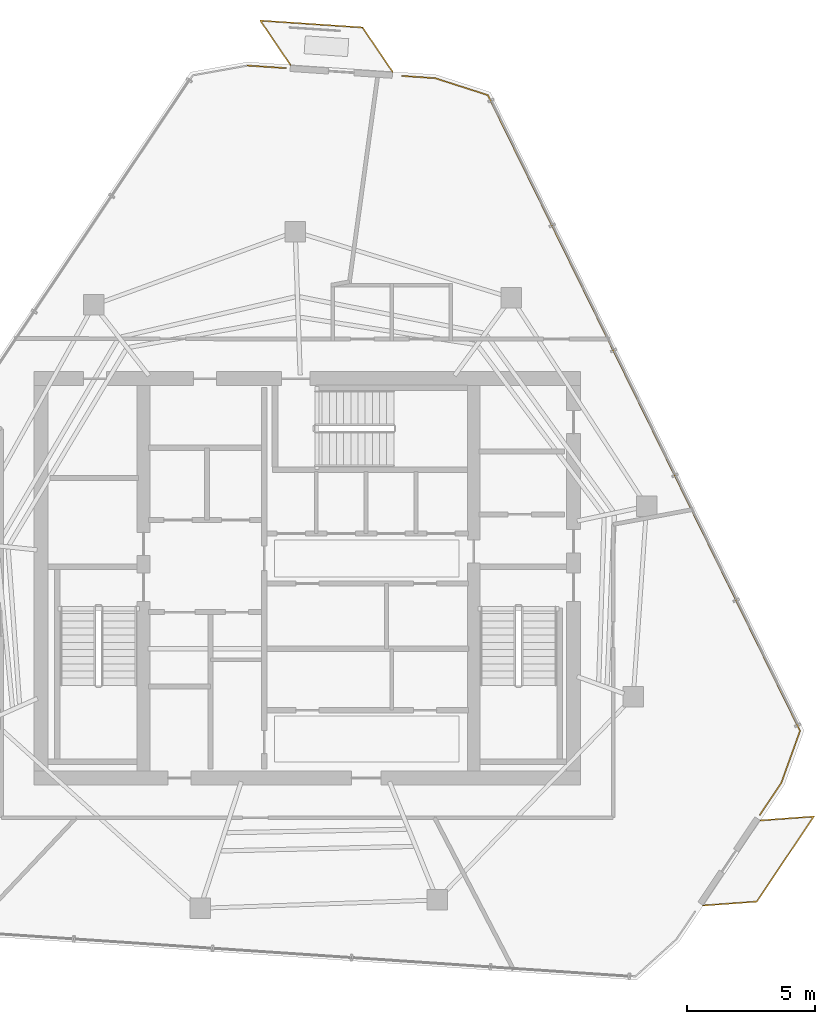
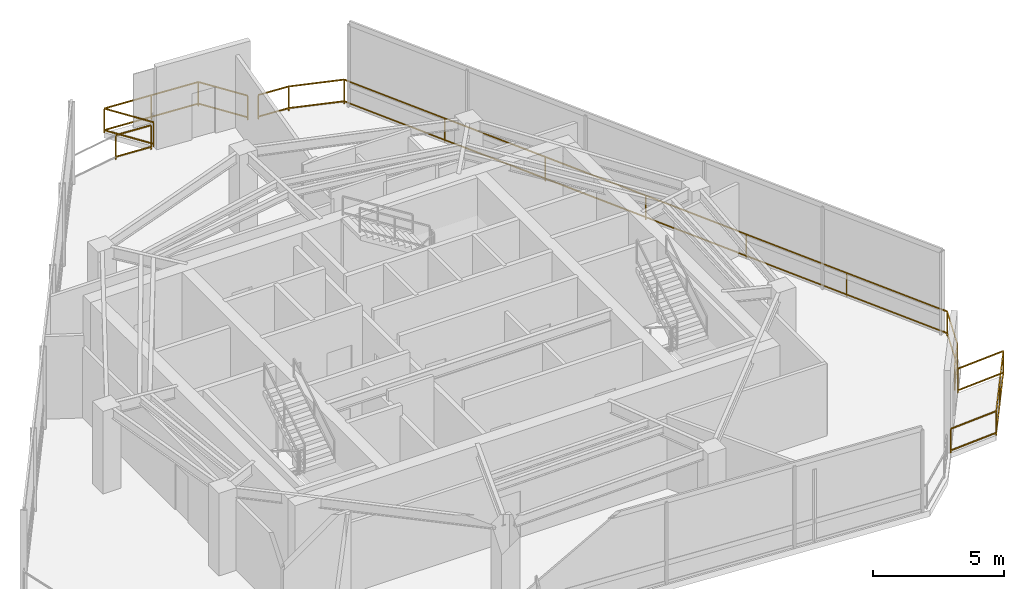
# One storey, part 18 of 18: 4 railings.
"""IFC4 building model written with IfcOpenShell, lengths in metres."""

from ifc_helpers import new_model, si_unit, direction, frame, origin, origin_2d, place, context, subcontext, project, spatial, rectangle, extrude, material, type_object, element, save


model = new_model("IFC4")

# Units and contexts
model_context = context("Model", 3, precision=1e-05, world=origin(), true_north=direction((0.0, 1.0)))
body_context = subcontext(model_context, "Body", "Model", "MODEL_VIEW")
ifc_project = project(units=[si_unit("LENGTHUNIT", "METRE"), si_unit("AREAUNIT", "SQUARE_METRE"), si_unit("VOLUMEUNIT", "CUBIC_METRE"), si_unit("PLANEANGLEUNIT", "RADIAN"), si_unit("MASSUNIT", "GRAM", prefix="KILO")], contexts=[model_context])

# Site, building, storey
site_placement = place(None, origin())
site = spatial("IfcSite", under=ifc_project, at=site_placement, CompositionType="ELEMENT")
building_placement = place(site_placement, origin())
building = spatial("IfcBuilding", under=site, at=building_placement, Name="Qarnah Convention Tower", CompositionType="ELEMENT")
storey_placement = place(building_placement, frame((0.0, 0.0, 279.300048828125)))
storey = spatial("IfcBuildingStorey", under=building, at=storey_placement, Name="L75", CompositionType="ELEMENT", Elevation=279.300048828125)

# Railings
ifc_material = material(Name="Black anodised aluminium", Category="aluminium")
railing_type = type_object("IfcRailingType", Name="RL-EXT-GUARD-1150", PredefinedType="GUARDRAIL", material=ifc_material)
railing_1_placement = place(storey_placement, frame((34.864013671875, 46.429931640625, 0.0)))
element("IfcRailing", 1, at=railing_1_placement, inside=storey, type_object=railing_type, Name="L75 slab-edge perimeter safety guard 01", PredefinedType="GUARDRAIL", context=body_context, shape_type="SweptSolid", body=[
    extrude(rectangle(XDim=0.048095703125, YDim=0.048095703125, at=origin_2d()), frame((0.0, 0.0, 1.1259765625), z_axis=(0.997776496911, -0.066648797524, 0.0), x_axis=(0.066648797524, 0.997776496911, 0.0)), (0.0, 0.0, 1.0), 1.498291015625),
    extrude(rectangle(XDim=0.048095703125, YDim=0.048095703125, at=origin_2d()), frame((0.0, 0.0, 0.1201171875), z_axis=(0.997776496911, -0.066648797524, 0.0), x_axis=(0.066648797524, 0.997776496911, 0.0)), (0.0, 0.0, 1.0), 1.498291015625),
    extrude(rectangle(XDim=0.0419921875, YDim=0.0419921875, at=origin_2d()), origin(), (0.0, 0.0, 1.0), 1.101806640625),
    extrude(rectangle(XDim=0.0419921875, YDim=0.0419921875, at=origin_2d()), frame((1.494873046875, -0.099853515625, 0.0)), (0.0, 0.0, 1.0), 1.101806640625),
])
railing_2_placement = place(storey_placement, frame((40.907958984375, 46.02490234375, 0.0)))
element("IfcRailing", 2, at=railing_2_placement, inside=storey, type_object=railing_type, Name="L75 slab-edge perimeter safety guard 02", PredefinedType="GUARDRAIL", context=body_context, shape_type="SweptSolid", body=[
    extrude(rectangle(XDim=0.048095703125, YDim=0.048095703125, at=origin_2d()), frame((0.0, 0.0, 1.1259765625), z_axis=(0.997716640999, -0.067538909336, 0.0), x_axis=(0.067538909336, 0.997716640999, 0.0)), (0.0, 0.0, 1.0), 1.286865234375),
    extrude(rectangle(XDim=0.048095703125, YDim=0.048095703125, at=origin_2d()), frame((0.0, 0.0, 0.1201171875), z_axis=(0.997716640999, -0.067538909336, 0.0), x_axis=(0.067538909336, 0.997716640999, 0.0)), (0.0, 0.0, 1.0), 1.286865234375),
    extrude(rectangle(XDim=0.048095703125, YDim=0.048095703125, at=origin_2d()), frame((1.283935546875, -0.0869140625, 1.1259765625), z_axis=(0.952077832581, -0.305855849557, 0.0), x_axis=(0.305855849557, 0.952077832581, 0.0)), (0.0, 0.0, 1.0), 2.164794921875),
    extrude(rectangle(XDim=0.048095703125, YDim=0.048095703125, at=origin_2d()), frame((1.283935546875, -0.0869140625, 0.1201171875), z_axis=(0.952077832581, -0.305855849557, 0.0), x_axis=(0.305855849557, 0.952077832581, 0.0)), (0.0, 0.0, 1.0), 2.164794921875),
    extrude(rectangle(XDim=0.048095703125, YDim=0.048095703125, at=origin_2d()), frame((3.344970703125, -0.7490234375, 1.1259765625), z_axis=(0.440844883781, -0.897583304459, 0.0), x_axis=(0.897583304459, 0.440844883781, 0.0)), (0.0, 0.0, 1.0), 27.665283203125),
    extrude(rectangle(XDim=0.048095703125, YDim=0.048095703125, at=origin_2d()), frame((3.344970703125, -0.7490234375, 0.1201171875), z_axis=(0.440844883781, -0.897583304459, 0.0), x_axis=(0.897583304459, 0.440844883781, 0.0)), (0.0, 0.0, 1.0), 27.665283203125),
    extrude(rectangle(XDim=0.048095703125, YDim=0.048095703125, at=origin_2d()), frame((15.541015625, -25.580810546875, 1.1259765625), z_axis=(-0.33922292278, -0.940706016065, 0.0), x_axis=(0.940706016065, -0.33922292278, 0.0)), (0.0, 0.0, 1.0), 2.163330078125),
    extrude(rectangle(XDim=0.048095703125, YDim=0.048095703125, at=origin_2d()), frame((15.541015625, -25.580810546875, 0.1201171875), z_axis=(-0.33922292278, -0.940706016065, 0.0), x_axis=(0.940706016065, -0.33922292278, 0.0)), (0.0, 0.0, 1.0), 2.163330078125),
    extrude(rectangle(XDim=0.048095703125, YDim=0.048095703125, at=origin_2d()), frame((14.80712890625, -27.615966796875, 1.1259765625), z_axis=(-0.556839423782, -0.830620163566, 0.0), x_axis=(0.830620163566, -0.556839423782, 0.0)), (0.0, 0.0, 1.0), 1.5),
    extrude(rectangle(XDim=0.048095703125, YDim=0.048095703125, at=origin_2d()), frame((14.80712890625, -27.615966796875, 0.1201171875), z_axis=(-0.556839423782, -0.830620163566, 0.0), x_axis=(0.830620163566, -0.556839423782, 0.0)), (0.0, 0.0, 1.0), 1.5),
    extrude(rectangle(XDim=0.0419921875, YDim=0.0419921875, at=origin_2d()), origin(), (0.0, 0.0, 1.0), 1.101806640625),
    extrude(rectangle(XDim=0.0419921875, YDim=0.0419921875, at=origin_2d()), frame((1.283935546875, -0.0869140625, 0.0)), (0.0, 0.0, 1.0), 1.101806640625),
    extrude(rectangle(XDim=0.0419921875, YDim=0.0419921875, at=origin_2d()), frame((3.344970703125, -0.7490234375, 0.0)), (0.0, 0.0, 1.0), 1.101806640625),
    extrude(rectangle(XDim=0.0419921875, YDim=0.0419921875, at=origin_2d()), frame((5.377685546875, -4.8876953125, 0.0)), (0.0, 0.0, 1.0), 1.101806640625),
    extrude(rectangle(XDim=0.0419921875, YDim=0.0419921875, at=origin_2d()), frame((7.410400390625, -9.0263671875, 0.0)), (0.0, 0.0, 1.0), 1.101806640625),
    extrude(rectangle(XDim=0.0419921875, YDim=0.0419921875, at=origin_2d()), frame((9.44287109375, -13.1650390625, 0.0)), (0.0, 0.0, 1.0), 1.101806640625),
    extrude(rectangle(XDim=0.0419921875, YDim=0.0419921875, at=origin_2d()), frame((11.4755859375, -17.303466796875, 0.0)), (0.0, 0.0, 1.0), 1.101806640625),
    extrude(rectangle(XDim=0.0419921875, YDim=0.0419921875, at=origin_2d()), frame((13.50830078125, -21.442138671875, 0.0)), (0.0, 0.0, 1.0), 1.101806640625),
    extrude(rectangle(XDim=0.0419921875, YDim=0.0419921875, at=origin_2d()), frame((15.541015625, -25.580810546875, 0.0)), (0.0, 0.0, 1.0), 1.101806640625),
    extrude(rectangle(XDim=0.0419921875, YDim=0.0419921875, at=origin_2d()), frame((14.80712890625, -27.615966796875, 0.0)), (0.0, 0.0, 1.0), 1.101806640625),
    extrude(rectangle(XDim=0.0419921875, YDim=0.0419921875, at=origin_2d()), frame((13.971923828125, -28.86181640625, 0.0)), (0.0, 0.0, 1.0), 1.101806640625),
])
railing_3_placement = place(storey_placement, frame((36.541015625, 46.452880859375, 0.0)))
element("IfcRailing", 3, at=railing_3_placement, inside=storey, type_object=railing_type, Name="L75 balcony safety guard BAL-L75-C1", PredefinedType="GUARDRAIL", context=body_context, shape_type="SweptSolid", body=[
    extrude(rectangle(XDim=0.048095703125, YDim=0.048095703125, at=origin_2d()), frame((0.0, 0.0, 1.1259765625), z_axis=(-0.56116778098, 0.827702072965, 0.0), x_axis=(-0.827702072965, -0.56116778098, 0.0)), (0.0, 0.0, 1.0), 2.093994140625),
    extrude(rectangle(XDim=0.048095703125, YDim=0.048095703125, at=origin_2d()), frame((0.0, 0.0, 0.1201171875), z_axis=(-0.56116778098, 0.827702072965, 0.0), x_axis=(-0.827702072965, -0.56116778098, 0.0)), (0.0, 0.0, 1.0), 2.093994140625),
    extrude(rectangle(XDim=0.048095703125, YDim=0.048095703125, at=origin_2d()), frame((-1.175048828125, 1.733154296875, 1.1259765625), z_axis=(0.997751814855, -0.067017281012, 0.0), x_axis=(0.067017281012, 0.997751814855, 0.0)), (0.0, 0.0, 1.0), 4.0),
    extrude(rectangle(XDim=0.048095703125, YDim=0.048095703125, at=origin_2d()), frame((-1.175048828125, 1.733154296875, 0.1201171875), z_axis=(0.997751814855, -0.067017281012, 0.0), x_axis=(0.067017281012, 0.997751814855, 0.0)), (0.0, 0.0, 1.0), 4.0),
    extrude(rectangle(XDim=0.048095703125, YDim=0.048095703125, at=origin_2d()), frame((2.81591796875, 1.465087890625, 1.1259765625), z_axis=(0.561541328045, -0.827448691398, 0.0), x_axis=(0.827448691398, 0.561541328045, 0.0)), (0.0, 0.0, 1.0), 2.09423828125),
    extrude(rectangle(XDim=0.048095703125, YDim=0.048095703125, at=origin_2d()), frame((2.81591796875, 1.465087890625, 0.1201171875), z_axis=(0.561541328045, -0.827448691398, 0.0), x_axis=(0.827448691398, 0.561541328045, 0.0)), (0.0, 0.0, 1.0), 2.09423828125),
    extrude(rectangle(XDim=0.0419921875, YDim=0.0419921875, at=origin_2d()), origin(), (0.0, 0.0, 1.0), 1.101806640625),
    extrude(rectangle(XDim=0.0419921875, YDim=0.0419921875, at=origin_2d()), frame((-1.175048828125, 1.733154296875, 0.0)), (0.0, 0.0, 1.0), 1.101806640625),
    extrude(rectangle(XDim=0.0419921875, YDim=0.0419921875, at=origin_2d()), frame((0.8203125, 1.59912109375, 0.0)), (0.0, 0.0, 1.0), 1.101806640625),
    extrude(rectangle(XDim=0.0419921875, YDim=0.0419921875, at=origin_2d()), frame((2.81591796875, 1.465087890625, 0.0)), (0.0, 0.0, 1.0), 1.101806640625),
    extrude(rectangle(XDim=0.0419921875, YDim=0.0419921875, at=origin_2d()), frame((3.991943359375, -0.267822265625, 0.0)), (0.0, 0.0, 1.0), 1.101806640625),
])
railing_4_placement = place(storey_placement, frame((54.89599609375, 16.944091796875, 0.0)))
element("IfcRailing", 4, at=railing_4_placement, inside=storey, type_object=railing_type, Name="L75 balcony safety guard BAL-L75-C3", PredefinedType="GUARDRAIL", context=body_context, shape_type="SweptSolid", body=[
    extrude(rectangle(XDim=0.048095703125, YDim=0.048095703125, at=origin_2d()), frame((0.0, 0.0, 1.1259765625), z_axis=(0.997365510146, 0.072539914325, 0.0), x_axis=(-0.072539914325, 0.997365510146, 0.0)), (0.0, 0.0, 1.0), 2.093505859375),
    extrude(rectangle(XDim=0.048095703125, YDim=0.048095703125, at=origin_2d()), frame((0.0, 0.0, 0.1201171875), z_axis=(0.997365510146, 0.072539914325, 0.0), x_axis=(-0.072539914325, 0.997365510146, 0.0)), (0.0, 0.0, 1.0), 2.093505859375),
    extrude(rectangle(XDim=0.048095703125, YDim=0.048095703125, at=origin_2d()), frame((2.087890625, 0.15185546875, 1.1259765625), z_axis=(-0.556684545253, -0.830723971652, 0.0), x_axis=(0.830723971652, -0.556684545253, 0.0)), (0.0, 0.0, 1.0), 4.000244140625),
    extrude(rectangle(XDim=0.048095703125, YDim=0.048095703125, at=origin_2d()), frame((2.087890625, 0.15185546875, 0.1201171875), z_axis=(-0.556684545253, -0.830723971652, 0.0), x_axis=(0.830723971652, -0.556684545253, 0.0)), (0.0, 0.0, 1.0), 4.000244140625),
    extrude(rectangle(XDim=0.048095703125, YDim=0.048095703125, at=origin_2d()), frame((-0.138916015625, -3.171142578125, 1.1259765625), z_axis=(-0.997368575863, -0.072497750869, 0.0), x_axis=(0.072497750869, -0.997368575863, 0.0)), (0.0, 0.0, 1.0), 2.0947265625),
    extrude(rectangle(XDim=0.048095703125, YDim=0.048095703125, at=origin_2d()), frame((-0.138916015625, -3.171142578125, 0.1201171875), z_axis=(-0.997368575863, -0.072497750869, 0.0), x_axis=(0.072497750869, -0.997368575863, 0.0)), (0.0, 0.0, 1.0), 2.0947265625),
    extrude(rectangle(XDim=0.0419921875, YDim=0.0419921875, at=origin_2d()), origin(), (0.0, 0.0, 1.0), 1.101806640625),
    extrude(rectangle(XDim=0.0419921875, YDim=0.0419921875, at=origin_2d()), frame((2.087890625, 0.15185546875, 0.0)), (0.0, 0.0, 1.0), 1.101806640625),
    extrude(rectangle(XDim=0.0419921875, YDim=0.0419921875, at=origin_2d()), frame((0.974609375, -1.509765625, 0.0)), (0.0, 0.0, 1.0), 1.101806640625),
    extrude(rectangle(XDim=0.0419921875, YDim=0.0419921875, at=origin_2d()), frame((-0.138916015625, -3.171142578125, 0.0)), (0.0, 0.0, 1.0), 1.101806640625),
    extrude(rectangle(XDim=0.0419921875, YDim=0.0419921875, at=origin_2d()), frame((-2.22802734375, -3.322998046875, 0.0)), (0.0, 0.0, 1.0), 1.101806640625),
])

save(model, "model.ifc")
